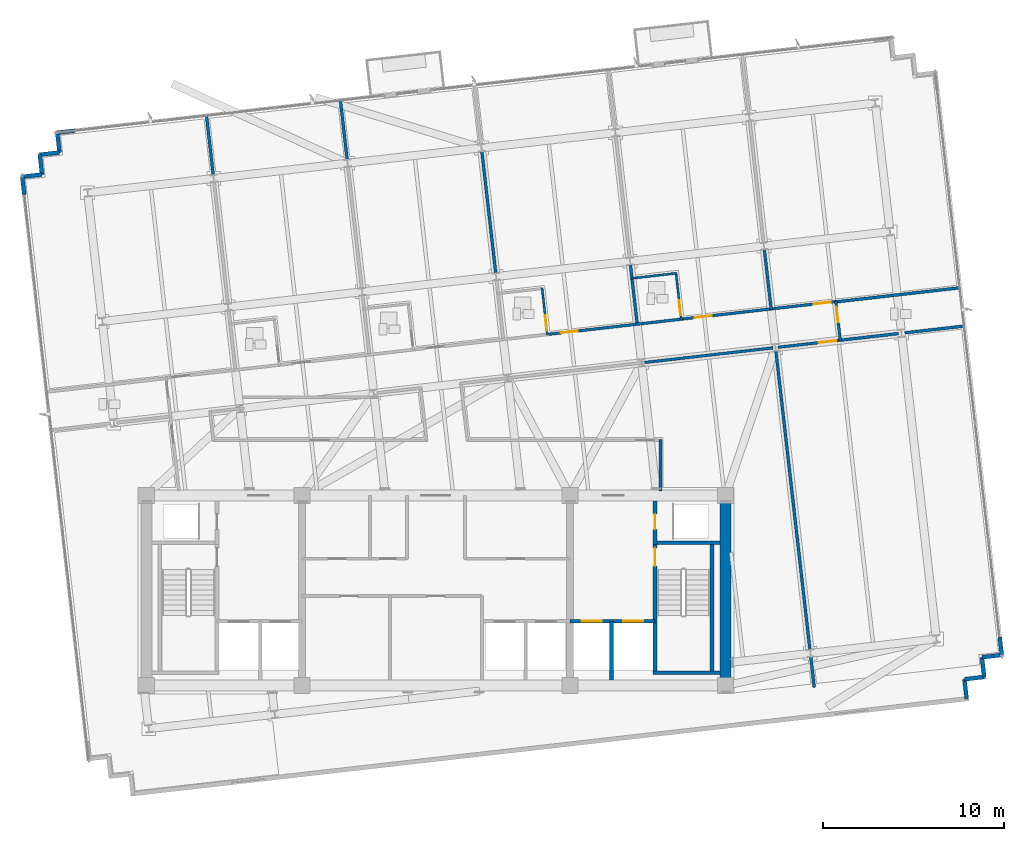
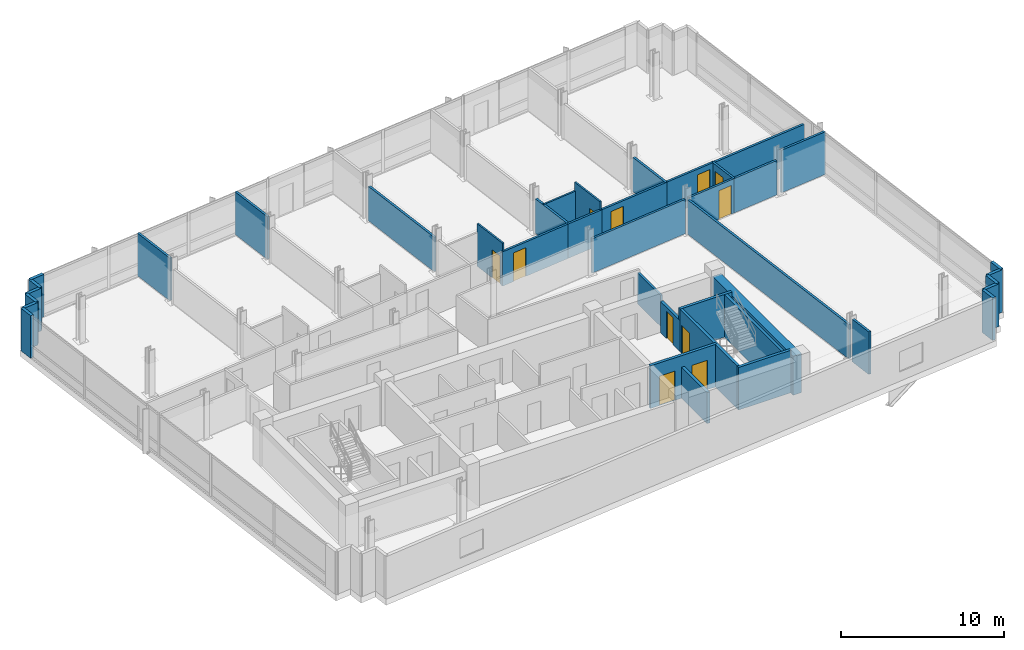
# One storey, part 10 of 15: 40 walls, 11 doors, 11 openings.
"""IFC4 building model written with IfcOpenShell, lengths in metres."""

from ifc_helpers import new_model, si_unit, direction, frame, frame_2d, origin, place, context, subcontext, project, spatial, rectangle, extrude, material, layer, layer_set, type_object, element, fill, save


model = new_model("IFC4")

# Units and contexts
model_context = context("Model", 3, precision=1e-05, world=origin(), true_north=direction((0.0, 1.0)))
body_context = subcontext(model_context, "Body", "Model", "MODEL_VIEW")
ifc_project = project(units=[si_unit("LENGTHUNIT", "METRE"), si_unit("AREAUNIT", "SQUARE_METRE"), si_unit("VOLUMEUNIT", "CUBIC_METRE"), si_unit("PLANEANGLEUNIT", "RADIAN"), si_unit("MASSUNIT", "GRAM", prefix="KILO")], contexts=[model_context])

# Site, building, storey
site_placement = place(None, origin())
site = spatial("IfcSite", under=ifc_project, at=site_placement, CompositionType="ELEMENT")
building_placement = place(site_placement, origin())
building = spatial("IfcBuilding", under=site, at=building_placement, Name="Solmavex Isthmus Hotel", CompositionType="ELEMENT")
storey_placement = place(building_placement, frame((0.0, 0.0, 191.699951171875)))
storey = spatial("IfcBuildingStorey", under=building, at=storey_placement, Name="L51", CompositionType="ELEMENT", Elevation=191.699951171875)

# Walls
ifc_material_1 = material(Name="Precast Concrete C40/50", Category="concrete")
ifc_layer_1 = layer(ifc_material_1, 0.25)
ifc_layer_set_1 = layer_set([ifc_layer_1], Name="Precast Concrete C40/50")
wall_type_1 = type_object("IfcWallType", Name="EW-TWR-250", PredefinedType="STANDARD", material=ifc_layer_set_1)
wall_1_placement = place(storey_placement, frame((-22.74755859375, 14.128173828125, 0.0), z_axis=(0.0, 0.0, 1.0), x_axis=(-0.113191877531, 0.993573147212, 0.0)))
element("IfcWall", 1, at=wall_1_placement, inside=storey, type_object=wall_type_1, Name="Serrated Corner Facade Panel L51-07", PredefinedType="STANDARD", context=body_context, shape_type="SweptSolid", body=[
    extrude(rectangle(XDim=0.989990234375, YDim=0.219970703125, at=frame_2d((0.4951171875, 0.0))), origin(), (0.0, 0.0, 1.0), 3.18994140625),
])
wall_2_placement = place(storey_placement, frame((-22.859619140625, 15.11181640625, 0.0), z_axis=(0.0, 0.0, 1.0), x_axis=(0.99357409499, 0.113183557839, 0.0)))
element("IfcWall", 2, at=wall_2_placement, inside=storey, type_object=wall_type_1, Name="Serrated Corner Facade Panel L51-08", PredefinedType="STANDARD", context=body_context, shape_type="SweptSolid", body=[
    extrude(rectangle(XDim=1.10009765625, YDim=0.219970703125, at=frame_2d((0.550048828125, 0.0))), origin(), (0.0, 0.0, 1.0), 3.18994140625),
])
wall_3_placement = place(storey_placement, frame((-21.7666015625, 15.236328125, 0.0), z_axis=(0.0, 0.0, 1.0), x_axis=(-0.11320852056, 0.99357125103, 0.0)))
element("IfcWall", 3, at=wall_3_placement, inside=storey, type_object=wall_type_1, Name="Serrated Corner Facade Panel L51-09", PredefinedType="STANDARD", context=body_context, shape_type="SweptSolid", body=[
    extrude(rectangle(XDim=1.099853515625, YDim=0.219970703125, at=frame_2d((0.5498046875, 0.0))), origin(), (0.0, 0.0, 1.0), 3.18994140625),
])
for number, where, z_axis, x_axis, name in (
    (4, (-21.89111328125, 16.3291015625, 0.0), (0.0, 0.0, 1.0), (0.99357409499, 0.113183557839, 0.0), "Serrated Corner Facade Panel L51-10"),
    (5, (-20.798095703125, 16.45361328125, 0.0), (0.0, 0.0, 1.0), (-0.113402635104, 0.993549114212, 0.0), "Serrated Corner Facade Panel L51-11"),
):
    element("IfcWall", number, at=place(storey_placement, frame(where, z_axis=z_axis, x_axis=x_axis)), inside=storey, type_object=wall_type_1, Name=name, PredefinedType="STANDARD", context=body_context, shape_type="SweptSolid", body=[
        extrude(rectangle(XDim=1.10009765625, YDim=0.219970703125, at=frame_2d((0.550048828125, 0.0))), origin(), (0.0, 0.0, 1.0), 3.18994140625),
    ])
for number, where, z_axis, x_axis, name in (
    (6, (-20.9228515625, 17.546630859375, 0.0), (0.0, 0.0, 1.0), (0.993573147212, 0.113191877531, 0.0), "Serrated Corner Facade Panel L51-12"),
    (7, (31.1474609375, -10.328125, 0.0), (0.0, 0.0, 1.0), (0.113191877531, -0.993573147212, 0.0), "Serrated Corner Facade Panel L51-21"),
):
    element("IfcWall", number, at=place(storey_placement, frame(where, z_axis=z_axis, x_axis=x_axis)), inside=storey, type_object=wall_type_1, Name=name, PredefinedType="STANDARD", context=body_context, shape_type="SweptSolid", body=[
        extrude(rectangle(XDim=0.989990234375, YDim=0.219970703125, at=frame_2d((0.4951171875, 0.0))), origin(), (0.0, 0.0, 1.0), 3.18994140625),
    ])
wall_4_placement = place(storey_placement, frame((31.259521484375, -11.311767578125, 0.0), z_axis=(0.0, 0.0, 1.0), x_axis=(-0.99357409499, -0.113183557839, 0.0)))
element("IfcWall", 8, at=wall_4_placement, inside=storey, type_object=wall_type_1, Name="Serrated Corner Facade Panel L51-22", PredefinedType="STANDARD", context=body_context, shape_type="SweptSolid", body=[
    extrude(rectangle(XDim=1.10009765625, YDim=0.219970703125, at=frame_2d((0.550048828125, 0.0))), origin(), (0.0, 0.0, 1.0), 3.18994140625),
])
wall_5_placement = place(storey_placement, frame((30.16650390625, -11.436279296875, 0.0), z_axis=(0.0, 0.0, 1.0), x_axis=(0.113427644885, -0.993546259303, 0.0)))
element("IfcWall", 9, at=wall_5_placement, inside=storey, type_object=wall_type_1, Name="Serrated Corner Facade Panel L51-23", PredefinedType="STANDARD", context=body_context, shape_type="SweptSolid", body=[
    extrude(rectangle(XDim=1.099853515625, YDim=0.219970703125, at=frame_2d((0.5498046875, 0.0))), origin(), (0.0, 0.0, 1.0), 3.18994140625),
])
for number, where, z_axis, x_axis, name in (
    (10, (30.291259765625, -12.529052734375, 0.0), (0.0, 0.0, 1.0), (-0.99357409499, -0.113183557839, 0.0), "Serrated Corner Facade Panel L51-24"),
    (11, (29.1982421875, -12.653564453125, 0.0), (0.0, 0.0, 1.0), (0.113183557839, -0.99357409499, 0.0), "Serrated Corner Facade Panel L51-25"),
):
    element("IfcWall", number, at=place(storey_placement, frame(where, z_axis=z_axis, x_axis=x_axis)), inside=storey, type_object=wall_type_1, Name=name, PredefinedType="STANDARD", context=body_context, shape_type="SweptSolid", body=[
        extrude(rectangle(XDim=1.10009765625, YDim=0.219970703125, at=frame_2d((0.550048828125, 0.0))), origin(), (0.0, 0.0, 1.0), 3.18994140625),
    ])
ifc_material_2 = material(Name="Gypsum plasterboard lining", Category="gypsum")
ifc_layer_2 = layer(ifc_material_2, 0.159912109375)
ifc_layer_set_2 = layer_set([ifc_layer_2], Name="Gypsum plasterboard lining")
wall_type_2 = type_object("IfcWallType", Name="IW-COMP-160", PredefinedType="PARTITIONING", material=ifc_layer_set_2)
wall_6_placement = place(storey_placement, frame((-12.681396484375, 18.515869140625, 0.0), z_axis=(0.0, 0.0, 1.0), x_axis=(0.113171804991, -0.993575433752, 0.0)))
element("IfcWall", 12, at=wall_6_placement, inside=storey, type_object=wall_type_2, Name="Interior Partition Wall W-L51-P027", PredefinedType="PARTITIONING", context=body_context, shape_type="SweptSolid", body=[
    extrude(rectangle(XDim=3.34375, YDim=0.159912109375, at=frame_2d((1.671875, 0.0))), origin(), (0.0, 0.0, 1.0), 3.18994140625),
])
wall_7_placement = place(storey_placement, frame((-5.283447265625, 19.358642578125, 0.0), z_axis=(0.0, 0.0, 1.0), x_axis=(0.113252098743, -0.993566284719, 0.0)))
element("IfcWall", 13, at=wall_7_placement, inside=storey, type_object=wall_type_2, Name="Interior Partition Wall W-L51-P033", PredefinedType="PARTITIONING", context=body_context, shape_type="SweptSolid", body=[
    extrude(rectangle(XDim=3.343505859375, YDim=0.159912109375, at=frame_2d((1.671875, 0.0))), origin(), (0.0, 0.0, 1.0), 3.18994140625),
])
wall_8_placement = place(storey_placement, frame((2.533203125, 16.529052734375, 0.0), z_axis=(0.0, 0.0, 1.0), x_axis=(0.11321341463, -0.993570693382, 0.0)))
element("IfcWall", 14, at=wall_8_placement, inside=storey, type_object=wall_type_2, Name="Interior Partition Wall W-L51-P039", PredefinedType="PARTITIONING", context=body_context, shape_type="SweptSolid", body=[
    extrude(rectangle(XDim=6.79931640625, YDim=0.159912109375, at=frame_2d((3.399658203125, 0.0))), origin(), (0.0, 0.0, 1.0), 2.572265625),
])
wall_9_placement = place(storey_placement, frame((10.740966796875, 10.265869140625, 0.0), z_axis=(0.0, 0.0, 1.0), x_axis=(0.113220917918, -0.993569838384, 0.0)))
element("IfcWall", 15, at=wall_9_placement, inside=storey, type_object=wall_type_2, Name="Interior Partition Wall W-L51-P045", PredefinedType="PARTITIONING", context=body_context, shape_type="SweptSolid", body=[
    extrude(rectangle(XDim=3.36181640625, YDim=0.159912109375, at=frame_2d((1.680908203125, 0.0))), origin(), (0.0, 0.0, 1.0), 2.572265625),
])
wall_10_placement = place(storey_placement, frame((18.13916015625, 11.108642578125, 0.0), z_axis=(0.0, 0.0, 1.0), x_axis=(0.113229088195, -0.993568907317, 0.0)))
element("IfcWall", 16, at=wall_10_placement, inside=storey, type_object=wall_type_2, Name="Interior Partition Wall W-L51-P050", PredefinedType="PARTITIONING", context=body_context, shape_type="SweptSolid", body=[
    extrude(rectangle(XDim=3.361572265625, YDim=0.159912109375, at=frame_2d((1.6806640625, 0.0))), origin(), (0.0, 0.0, 1.0), 2.572265625),
])
wall_11_placement = place(storey_placement, frame((28.977783203125, 8.98046875, 0.0), z_axis=(0.0, 0.0, 1.0), x_axis=(-0.993571800428, -0.113203698681, 0.0)))
element("IfcWall", 17, at=wall_11_placement, inside=storey, type_object=wall_type_2, Name="Interior Partition Wall W-L51-P051", PredefinedType="PARTITIONING", context=body_context, shape_type="SweptSolid", body=[
    extrude(rectangle(XDim=6.968017578125, YDim=0.159912109375, at=frame_2d((3.48388671875, 0.0))), origin(), (0.0, 0.0, 1.0), 2.5576171875),
])
wall_12_placement = place(storey_placement, frame((25.546142578125, 6.44580078125, 0.0), z_axis=(0.0, 0.0, 1.0), x_axis=(-0.993568592225, -0.113231853041, 0.0)))
element("IfcWall", 18, at=wall_12_placement, inside=storey, type_object=wall_type_2, Name="Interior Partition Wall W-L51-P054", PredefinedType="PARTITIONING", context=body_context, shape_type="SweptSolid", body=[
    extrude(rectangle(XDim=3.281494140625, YDim=0.159912109375, at=frame_2d((1.640625, 0.0))), origin(), (0.0, 0.0, 1.0), 2.572265625),
])
wall_13_placement = place(storey_placement, frame((29.21875, 6.864013671875, 0.0), z_axis=(0.0, 0.0, 1.0), x_axis=(-0.993574498496, -0.113180015629, 0.0)))
element("IfcWall", 19, at=wall_13_placement, inside=storey, type_object=wall_type_2, Name="Interior Partition Wall W-L51-P055", PredefinedType="PARTITIONING", context=body_context, shape_type="SweptSolid", body=[
    extrude(rectangle(XDim=3.343505859375, YDim=0.159912109375, at=frame_2d((1.671875, 0.0))), origin(), (0.0, 0.0, 1.0), 3.18994140625),
])
wall_14_placement = place(storey_placement, frame((18.778564453125, 5.4970703125, 0.0), z_axis=(0.0, 0.0, 1.0), x_axis=(0.113202873157, -0.993571894484, 0.0)))
element("IfcWall", 20, at=wall_14_placement, inside=storey, type_object=wall_type_2, Name="Interior Partition Wall W-L51-P056", PredefinedType="PARTITIONING", context=body_context, shape_type="SweptSolid", body=[
    extrude(rectangle(XDim=16.647216796875, YDim=0.159912109375, at=frame_2d((8.32373046875, 0.0))), origin(), (0.0, 0.0, 1.0), 2.572265625),
])
wall_15_placement = place(storey_placement, frame((20.702880859375, -11.3935546875, 0.0), z_axis=(0.0, 0.0, 1.0), x_axis=(0.113261307971, -0.993565234958, 0.0)))
element("IfcWall", 21, at=wall_15_placement, inside=storey, type_object=wall_type_2, Name="Interior Partition Wall W-L51-P057", PredefinedType="PARTITIONING", context=body_context, shape_type="SweptSolid", body=[
    extrude(rectangle(XDim=1.713623046875, YDim=0.159912109375, at=frame_2d((0.85693359375, 0.0))), origin(), (0.0, 0.0, 1.0), 3.18994140625),
])

# Wall, opening, door
ifc_layer_3 = layer(ifc_material_2, 0.14990234375)
ifc_layer_set_3 = layer_set([ifc_layer_3], Name="Gypsum plasterboard lining")
wall_type_3 = type_object("IfcWallType", Name="IW-CORR-150", PredefinedType="PARTITIONING", material=ifc_layer_set_3)
wall_16_placement = place(storey_placement, frame((6.07177734375, 6.390625, 0.0), z_axis=(0.0, 0.0, 1.0), x_axis=(0.993569374626, 0.113224987546, 0.0)))
wall_16 = element("IfcWall", 22, at=wall_16_placement, inside=storey, type_object=wall_type_3, Name="Interior Partition Wall W-L51-P006", PredefinedType="PARTITIONING", context=body_context, shape_type="SweptSolid", body=[
    extrude(rectangle(XDim=5.159912109375, YDim=0.14990234375, at=frame_2d((2.580078125, 0.0))), origin(), (0.0, 0.0, 1.0), 2.572265625),
])
opening_1_placement = place(wall_16_placement, frame((0.82470703125, 0.0, 0.0)))
opening_1 = element("IfcOpeningElement", 23, at=opening_1_placement, cuts=wall_16, Name="Opening ID-C095", PredefinedType="OPENING", context=body_context, shape_type="SweptSolid", body=[
    extrude(rectangle(XDim=0.949951171875, YDim=2.14990234375, at=frame_2d((0.47509765625, 1.074951171875))), frame((0.0, 0.0849609375, 0.0), z_axis=(0.0, -1.0, 0.0), x_axis=(1.0, 0.0, 0.0)), (0.0, 0.0, 1.0), 0.169921875),
])
ifc_material_3 = material(Name="Hardwood timber", Category="wood")
door_type_1 = type_object("IfcDoorType", Name="IDR-FD60-0950", OperationType="NOTDEFINED", PredefinedType="DOOR", material=ifc_material_3)
door_1_placement = place(opening_1_placement, origin())
door_1 = element("IfcDoor", 24, at=door_1_placement, inside=storey, type_object=door_type_1, Name="Premier Suite Door L51-06", OperationType="SINGLE_SWING_RIGHT", OverallHeight=2.14990234375, OverallWidth=0.949951171875, PredefinedType="DOOR", context=body_context, shape_type="SweptSolid", body=[
    extrude(rectangle(XDim=0.949951171875, YDim=2.14990234375, at=frame_2d((0.47509765625, 1.074951171875))), frame((0.0, 0.02490234375, 0.0), z_axis=(0.0, -1.0, 0.0), x_axis=(1.0, 0.0, 0.0)), (0.0, 0.0, 1.0), 0.050048828125),
])
fill(opening_1, door_1)

wall_17_placement = place(storey_placement, frame((13.4697265625, 7.233642578125, 0.0), z_axis=(0.0, 0.0, 1.0), x_axis=(0.993569981158, 0.113219664996, 0.0)))
wall_17 = element("IfcWall", 25, at=wall_17_placement, inside=storey, type_object=wall_type_3, Name="Interior Partition Wall W-L51-P008", PredefinedType="PARTITIONING", context=body_context, shape_type="SweptSolid", body=[
    extrude(rectangle(XDim=5.16015625, YDim=0.14990234375, at=frame_2d((2.580078125, 0.0))), origin(), (0.0, 0.0, 1.0), 2.572265625),
])
opening_2_placement = place(wall_17_placement, frame((0.82470703125, 0.0, 0.0)))
opening_2 = element("IfcOpeningElement", 26, at=opening_2_placement, cuts=wall_17, Name="Opening ID-C095", PredefinedType="OPENING", context=body_context, shape_type="SweptSolid", body=[
    extrude(rectangle(XDim=0.949951171875, YDim=2.14990234375, at=frame_2d((0.47509765625, 1.074951171875))), frame((0.0, 0.0849609375, 0.0), z_axis=(0.0, -1.0, 0.0), x_axis=(1.0, 0.0, 0.0)), (0.0, 0.0, 1.0), 0.169921875),
])
door_2_placement = place(opening_2_placement, origin())
door_2 = element("IfcDoor", 27, at=door_2_placement, inside=storey, type_object=door_type_1, Name="Ambassador Suite Door L51-08", OperationType="SINGLE_SWING_RIGHT", OverallHeight=2.14990234375, OverallWidth=0.949951171875, PredefinedType="DOOR", context=body_context, shape_type="SweptSolid", body=[
    extrude(rectangle(XDim=0.949951171875, YDim=2.14990234375, at=frame_2d((0.47509765625, 1.074951171875))), frame((0.0, 0.02490234375, 0.0), z_axis=(0.0, -1.0, 0.0), x_axis=(1.0, 0.0, 0.0)), (0.0, 0.0, 1.0), 0.050048828125),
])
fill(opening_2, door_2)

# Wall
wall_18_placement = place(storey_placement, frame((11.03564453125, 6.956298828125, 0.0), z_axis=(0.0, 0.0, 1.0), x_axis=(0.993572349416, 0.113198880193, 0.0)))
element("IfcWall", 28, at=wall_18_placement, inside=storey, type_object=wall_type_3, Name="Interior Partition Wall W-L51-P009", PredefinedType="PARTITIONING", context=body_context, shape_type="SweptSolid", body=[
    extrude(rectangle(XDim=2.614013671875, YDim=0.14990234375, at=frame_2d((1.30712890625, 0.0))), origin(), (0.0, 0.0, 1.0), 2.572265625),
])

# Wall, opening, door
wall_19_placement = place(storey_placement, frame((18.43359375, 7.79931640625, 0.0), z_axis=(0.0, 0.0, 1.0), x_axis=(0.993578468541, 0.11314515832, 0.0)))
wall_19 = element("IfcWall", 29, at=wall_19_placement, inside=storey, type_object=wall_type_3, Name="Interior Partition Wall W-L51-P010", PredefinedType="PARTITIONING", context=body_context, shape_type="SweptSolid", body=[
    extrude(rectangle(XDim=3.72216796875, YDim=0.14990234375, at=frame_2d((1.861083984375, 0.0))), origin(), (0.0, 0.0, 1.0), 2.572265625),
])
opening_3_placement = place(wall_19_placement, frame((2.456787109375, 0.0, 0.0)))
opening_3 = element("IfcOpeningElement", 30, at=opening_3_placement, cuts=wall_19, Name="Opening ID-C095", PredefinedType="OPENING", context=body_context, shape_type="SweptSolid", body=[
    extrude(rectangle(XDim=0.949951171875, YDim=2.14990234375, at=frame_2d((0.47509765625, 1.074951171875))), frame((0.0, 0.0849609375, 0.0), z_axis=(0.0, -1.0, 0.0), x_axis=(1.0, 0.0, 0.0)), (0.0, 0.0, 1.0), 0.169921875),
])
door_3_placement = place(opening_3_placement, origin())
door_3 = element("IfcDoor", 31, at=door_3_placement, inside=storey, type_object=door_type_1, Name="Executive Hospitality Lounge Door L51-10", OperationType="SINGLE_SWING_RIGHT", OverallHeight=2.14990234375, OverallWidth=0.949951171875, PredefinedType="DOOR", context=body_context, shape_type="SweptSolid", body=[
    extrude(rectangle(XDim=0.949951171875, YDim=2.14990234375, at=frame_2d((0.47509765625, 1.074951171875))), frame((0.0, 0.02490234375, 0.0), z_axis=(0.0, -1.0, 0.0), x_axis=(1.0, 0.0, 0.0)), (0.0, 0.0, 1.0), 0.050048828125),
])
fill(opening_3, door_3)

wall_20_placement = place(storey_placement, frame((22.08984375, 8.23583984375, 0.0), z_axis=(0.0, 0.0, 1.0), x_axis=(0.113122854389, -0.993581008179, 0.0)))
wall_20 = element("IfcWall", 32, at=wall_20_placement, inside=storey, type_object=wall_type_3, Name="Interior Partition Wall W-L51-P012", PredefinedType="PARTITIONING", context=body_context, shape_type="SweptSolid", body=[
    extrude(rectangle(XDim=2.2099609375, YDim=0.14990234375, at=frame_2d((1.10498046875, 0.0))), origin(), (0.0, 0.0, 1.0), 2.572265625),
])
opening_4_placement = place(wall_20_placement, frame((0.322265625, 0.0, 0.0)))
opening_4 = element("IfcOpeningElement", 33, at=opening_4_placement, cuts=wall_20, Name="Opening ID-R085", PredefinedType="OPENING", context=body_context, shape_type="SweptSolid", body=[
    extrude(rectangle(XDim=0.85009765625, YDim=2.050048828125, at=frame_2d((0.425048828125, 1.02490234375))), frame((0.0, 0.0849609375, 0.0), z_axis=(0.0, -1.0, 0.0), x_axis=(1.0, 0.0, 0.0)), (0.0, 0.0, 1.0), 0.169921875),
])
ifc_material_4 = material(Name="Steel ASTM A500 Grade C", Category="steel")
door_type_2 = type_object("IfcDoorType", Name="IDR-FD60-0850", OperationType="NOTDEFINED", PredefinedType="DOOR", material=ifc_material_4)
door_4_placement = place(opening_4_placement, frame((0.85009765625, 0.0, 0.0), z_axis=(0.0, 0.0, 1.0), x_axis=(-1.0, 0.0, 0.0)))
door_4 = element("IfcDoor", 34, at=door_4_placement, inside=storey, type_object=door_type_2, Name="Public Restroom WC Door L51-12", OperationType="SINGLE_SWING_RIGHT", OverallHeight=2.050048828125, OverallWidth=0.85009765625, PredefinedType="DOOR", context=body_context, shape_type="SweptSolid", body=[
    extrude(rectangle(XDim=0.85009765625, YDim=2.050048828125, at=frame_2d((0.425048828125, 1.02490234375))), frame((0.0, 0.02490234375, 0.0), z_axis=(0.0, -1.0, 0.0), x_axis=(1.0, 0.0, 0.0)), (0.0, 0.0, 1.0), 0.050048828125),
])
fill(opening_4, door_4)

# Walls
wall_21_placement = place(storey_placement, frame((12.39990234375, 0.590087890625, 0.0), z_axis=(0.0, 0.0, 1.0), x_axis=(0.0, -1.0, 0.0)))
element("IfcWall", 35, at=wall_21_placement, inside=storey, type_object=wall_type_3, Name="Interior Partition Wall W-L51-P023", PredefinedType="PARTITIONING", context=body_context, shape_type="SweptSolid", body=[
    extrude(rectangle(XDim=2.830078125, YDim=0.14990234375, at=frame_2d((1.4150390625, 0.0))), origin(), (0.0, 0.0, 1.0), 2.324951171875),
])
wall_22_placement = place(storey_placement, frame((18.625, 5.6572265625, 0.0), z_axis=(0.0, 0.0, 1.0), x_axis=(-0.993569785772, -0.11322137961, 0.0)))
element("IfcWall", 36, at=wall_22_placement, inside=storey, type_object=wall_type_3, Name="Interior Partition Wall W-L51-P025", PredefinedType="PARTITIONING", context=body_context, shape_type="SweptSolid", body=[
    extrude(rectangle(XDim=7.13525390625, YDim=0.14990234375, at=frame_2d((3.567626953125, 0.0))), origin(), (0.0, 0.0, 1.0), 2.572265625),
])

# Wall, opening, door
wall_23_placement = place(storey_placement, frame((22.375244140625, 6.08447265625, 0.0), z_axis=(0.0, 0.0, 1.0), x_axis=(-0.993568982909, -0.113228424882, 0.0)))
wall_23 = element("IfcWall", 37, at=wall_23_placement, inside=storey, type_object=wall_type_3, Name="Interior Partition Wall W-L51-P026", PredefinedType="PARTITIONING", context=body_context, shape_type="SweptSolid", body=[
    extrude(rectangle(XDim=3.505859375, YDim=0.14990234375, at=frame_2d((1.7529296875, 0.0))), origin(), (0.0, 0.0, 1.0), 2.572265625),
])
opening_5_placement = place(wall_23_placement, frame((0.270751953125, 0.0, 0.0)))
opening_5 = element("IfcOpeningElement", 38, at=opening_5_placement, cuts=wall_23, Name="Opening ID-C095", PredefinedType="OPENING", context=body_context, shape_type="SweptSolid", body=[
    extrude(rectangle(XDim=0.949951171875, YDim=2.14990234375, at=frame_2d((0.47509765625, 1.074951171875))), frame((0.0, 0.0849609375, 0.0), z_axis=(0.0, -1.0, 0.0), x_axis=(1.0, 0.0, 0.0)), (0.0, 0.0, 1.0), 0.169921875),
])
door_5_placement = place(opening_5_placement, origin())
door_5 = element("IfcDoor", 39, at=door_5_placement, inside=storey, type_object=door_type_1, Name="Corporate Briefing Office Door L51-16", OperationType="SINGLE_SWING_RIGHT", OverallHeight=2.14990234375, OverallWidth=0.949951171875, PredefinedType="DOOR", context=body_context, shape_type="SweptSolid", body=[
    extrude(rectangle(XDim=0.949951171875, YDim=2.14990234375, at=frame_2d((0.47509765625, 1.074951171875))), frame((0.0, 0.02490234375, 0.0), z_axis=(0.0, -1.0, 0.0), x_axis=(1.0, 0.0, 0.0)), (0.0, 0.0, 1.0), 0.050048828125),
])
fill(opening_5, door_5)

ifc_layer_4 = layer(ifc_material_2, 0.1201171875)
ifc_layer_set_4 = layer_set([ifc_layer_4], Name="Gypsum plasterboard lining")
wall_type_4 = type_object("IfcWallType", Name="IW-PART-120", PredefinedType="PARTITIONING", material=ifc_layer_set_4)
wall_24_placement = place(storey_placement, frame((6.15771484375, 6.3603515625, 0.0), z_axis=(0.0, 0.0, 1.0), x_axis=(-0.113253358145, 0.993566141165, 0.0)))
wall_24 = element("IfcWall", 40, at=wall_24_placement, inside=storey, type_object=wall_type_4, Name="Interior Partition Wall W-L51-P041", PredefinedType="PARTITIONING", context=body_context, shape_type="SweptSolid", body=[
    extrude(rectangle(XDim=2.6298828125, YDim=0.1201171875, at=frame_2d((1.31494140625, 0.0))), origin(), (0.0, 0.0, 1.0), 3.18994140625),
])
opening_6_placement = place(wall_24_placement, frame((0.247314453125, 0.0, 0.0)))
opening_6 = element("IfcOpeningElement", 41, at=opening_6_placement, cuts=wall_24, Name="Opening ID-U085", PredefinedType="OPENING", context=body_context, shape_type="SweptSolid", body=[
    extrude(rectangle(XDim=0.85009765625, YDim=2.10009765625, at=frame_2d((0.425048828125, 1.050048828125))), frame((0.0, 0.070068359375, 0.0), z_axis=(0.0, -1.0, 0.0), x_axis=(1.0, 0.0, 0.0)), (0.0, 0.0, 1.0), 0.14013671875),
])
door_type_3 = type_object("IfcDoorType", Name="IDR-UNR-0850", OperationType="NOTDEFINED", PredefinedType="DOOR", material=ifc_material_3)
door_6_placement = place(opening_6_placement, frame((0.85009765625, 0.0, 0.0), z_axis=(0.0, 0.0, 1.0), x_axis=(-1.0, 0.0, 0.0)))
door_6 = element("IfcDoor", 42, at=door_6_placement, inside=storey, type_object=door_type_3, Name="En-suite Bathroom Door L51-07", OperationType="SINGLE_SWING_LEFT", OverallHeight=2.10009765625, OverallWidth=0.85009765625, PredefinedType="DOOR", context=body_context, shape_type="SweptSolid", body=[
    extrude(rectangle(XDim=0.85009765625, YDim=2.10009765625, at=frame_2d((0.425048828125, 1.050048828125))), frame((0.0, 0.02490234375, 0.0), z_axis=(0.0, -1.0, 0.0), x_axis=(1.0, 0.0, 0.0)), (0.0, 0.0, 1.0), 0.050048828125),
])
fill(opening_6, door_6)

wall_25_placement = place(storey_placement, frame((13.555908203125, 7.203125, 0.0), z_axis=(0.0, 0.0, 1.0), x_axis=(-0.113242913364, 0.993567331676, 0.0)))
wall_25 = element("IfcWall", 43, at=wall_25_placement, inside=storey, type_object=wall_type_4, Name="Interior Partition Wall W-L51-P046", PredefinedType="PARTITIONING", context=body_context, shape_type="SweptSolid", body=[
    extrude(rectangle(XDim=2.630126953125, YDim=0.1201171875, at=frame_2d((1.31494140625, 0.0))), origin(), (0.0, 0.0, 1.0), 3.18994140625),
])
opening_7_placement = place(wall_25_placement, frame((0.247314453125, 0.0, 0.0)))
opening_7 = element("IfcOpeningElement", 44, at=opening_7_placement, cuts=wall_25, Name="Opening ID-U085", PredefinedType="OPENING", context=body_context, shape_type="SweptSolid", body=[
    extrude(rectangle(XDim=0.85009765625, YDim=2.10009765625, at=frame_2d((0.425048828125, 1.050048828125))), frame((0.0, 0.070068359375, 0.0), z_axis=(0.0, -1.0, 0.0), x_axis=(1.0, 0.0, 0.0)), (0.0, 0.0, 1.0), 0.14013671875),
])
door_7_placement = place(opening_7_placement, frame((0.85009765625, 0.0, 0.0), z_axis=(0.0, 0.0, 1.0), x_axis=(-1.0, 0.0, 0.0)))
door_7 = element("IfcDoor", 45, at=door_7_placement, inside=storey, type_object=door_type_3, Name="En-suite Bathroom Door L51-09", OperationType="SINGLE_SWING_LEFT", OverallHeight=2.10009765625, OverallWidth=0.85009765625, PredefinedType="DOOR", context=body_context, shape_type="SweptSolid", body=[
    extrude(rectangle(XDim=0.85009765625, YDim=2.10009765625, at=frame_2d((0.425048828125, 1.050048828125))), frame((0.0, 0.02490234375, 0.0), z_axis=(0.0, -1.0, 0.0), x_axis=(1.0, 0.0, 0.0)), (0.0, 0.0, 1.0), 0.050048828125),
])
fill(opening_7, door_7)

# Wall
wall_26_placement = place(storey_placement, frame((13.30224609375, 9.781005859375, 0.0), z_axis=(0.0, 0.0, 1.0), x_axis=(-0.99357273507, -0.113195495167, 0.0)))
element("IfcWall", 46, at=wall_26_placement, inside=storey, type_object=wall_type_4, Name="Interior Partition Wall W-L51-P047", PredefinedType="PARTITIONING", context=body_context, shape_type="SweptSolid", body=[
    extrude(rectangle(XDim=2.530029296875, YDim=0.1201171875, at=frame_2d((1.26513671875, 0.0))), origin(), (0.0, 0.0, 1.0), 2.572265625),
])

# Wall, opening, door
ifc_material_5 = material(Name="Concrete C40/50", Category="concrete")
ifc_layer_5 = layer(ifc_material_5, 0.199951171875)
ifc_layer_set_5 = layer_set([ifc_layer_5], Name="Concrete C40/50")
wall_type_5 = type_object("IfcWallType", Name="IW-SHAFT-200", PredefinedType="PARTITIONING", material=ifc_layer_set_5)
wall_27_placement = place(storey_placement, frame((12.10009765625, -5.199951171875, 0.0), z_axis=(0.0, 0.0, 1.0), x_axis=(0.0, 1.0, 0.0)))
wall_27 = element("IfcWall", 47, at=wall_27_placement, inside=storey, type_object=wall_type_5, Name="Interior Partition Wall W-L51-RSE-W", PredefinedType="PARTITIONING", context=body_context, shape_type="SweptSolid", body=[
    extrude(rectangle(XDim=2.39990234375, YDim=0.199951171875, at=frame_2d((1.199951171875, 0.0))), origin(), (0.0, 0.0, 1.0), 2.324951171875),
])
opening_8_placement = place(wall_27_placement, frame((0.824951171875, 0.0, 0.0)))
opening_8 = element("IfcOpeningElement", 48, at=opening_8_placement, cuts=wall_27, Name="Opening ID-R085", PredefinedType="OPENING", context=body_context, shape_type="SweptSolid", body=[
    extrude(rectangle(XDim=0.85009765625, YDim=2.050048828125, at=frame_2d((0.425048828125, 1.02490234375))), frame((0.0, 0.10986328125, 0.0), z_axis=(0.0, -1.0, 0.0), x_axis=(1.0, 0.0, 0.0)), (0.0, 0.0, 1.0), 0.219970703125),
])
door_8_placement = place(opening_8_placement, frame((0.85009765625, 0.0, 0.0), z_axis=(0.0, 0.0, 1.0), x_axis=(-1.0, 0.0, 0.0)))
door_8 = element("IfcDoor", 49, at=door_8_placement, inside=storey, type_object=door_type_2, Name="Mechanical Riser Door L51", OperationType="SINGLE_SWING_LEFT", OverallHeight=2.050048828125, OverallWidth=0.85009765625, PredefinedType="DOOR", context=body_context, shape_type="SweptSolid", body=[
    extrude(rectangle(XDim=0.85009765625, YDim=2.050048828125, at=frame_2d((0.425048828125, 1.02490234375))), frame((0.0, 0.02490234375, 0.0), z_axis=(0.0, -1.0, 0.0), x_axis=(1.0, 0.0, 0.0)), (0.0, 0.0, 1.0), 0.050048828125),
])
fill(opening_8, door_8)

# Wall, openings, doors
wall_28_placement = place(storey_placement, frame((7.39990234375, -9.449951171875, 0.0), z_axis=(0.0, 0.0, 1.0), x_axis=(1.0, 0.0, 0.0)))
wall_28 = element("IfcWall", 50, at=wall_28_placement, inside=storey, type_object=wall_type_5, Name="Interior Partition Wall W-L51-FFLE-S", PredefinedType="PARTITIONING", context=body_context, shape_type="SweptSolid", body=[
    extrude(rectangle(XDim=4.7001953125, YDim=0.199951171875, at=frame_2d((2.35009765625, 0.0))), origin(), (0.0, 0.0, 1.0), 3.18994140625),
])
opening_9_placement = place(wall_28_placement, frame((2.949951171875, 0.0, 0.0)))
opening_9 = element("IfcOpeningElement", 51, at=opening_9_placement, cuts=wall_28, Name="Opening LD-FF", PredefinedType="OPENING", context=body_context, shape_type="SweptSolid", body=[
    extrude(rectangle(XDim=1.10009765625, YDim=2.199951171875, at=frame_2d((0.550048828125, 1.10009765625))), frame((0.0, 0.10986328125, 0.0), z_axis=(0.0, -1.0, 0.0), x_axis=(1.0, 0.0, 0.0)), (0.0, 0.0, 1.0), 0.219970703125),
])
opening_10_placement = place(wall_28_placement, frame((0.64990234375, 0.0, 0.0)))
opening_10 = element("IfcOpeningElement", 52, at=opening_10_placement, cuts=wall_28, Name="Opening LD-SV", PredefinedType="OPENING", context=body_context, shape_type="SweptSolid", body=[
    extrude(rectangle(XDim=1.10009765625, YDim=2.199951171875, at=frame_2d((0.550048828125, 1.10009765625))), frame((0.0, 0.10986328125, 0.0), z_axis=(0.0, -1.0, 0.0), x_axis=(1.0, 0.0, 0.0)), (0.0, 0.0, 1.0), 0.219970703125),
])
ifc_material_6 = material(Name="Stainless steel 316", Category="steel")
door_type_4 = type_object("IfcDoorType", Name="LDR-FF-1100", OperationType="NOTDEFINED", PredefinedType="DOOR", material=ifc_material_6)
door_9_placement = place(opening_9_placement, origin())
door_9 = element("IfcDoor", 53, at=door_9_placement, inside=storey, type_object=door_type_4, Name="Lift Landing Door FFL-2 L51", OperationType="SLIDING_TO_LEFT", OverallHeight=2.199951171875, OverallWidth=1.10009765625, PredefinedType="DOOR", context=body_context, shape_type="SweptSolid", body=[
    extrude(rectangle(XDim=1.10009765625, YDim=2.199951171875, at=frame_2d((0.550048828125, 1.10009765625))), frame((0.0, 0.02490234375, 0.0), z_axis=(0.0, -1.0, 0.0), x_axis=(1.0, 0.0, 0.0)), (0.0, 0.0, 1.0), 0.050048828125),
])
fill(opening_9, door_9)
door_type_5 = type_object("IfcDoorType", Name="LDR-SV-1100", OperationType="NOTDEFINED", PredefinedType="DOOR", material=ifc_material_6)
door_10_placement = place(opening_10_placement, origin())
door_10 = element("IfcDoor", 54, at=door_10_placement, inside=storey, type_object=door_type_5, Name="Lift Landing Door SVL-2 L51", OperationType="SLIDING_TO_RIGHT", OverallHeight=2.199951171875, OverallWidth=1.10009765625, PredefinedType="DOOR", context=body_context, shape_type="SweptSolid", body=[
    extrude(rectangle(XDim=1.10009765625, YDim=2.199951171875, at=frame_2d((0.550048828125, 1.10009765625))), frame((0.0, 0.02490234375, 0.0), z_axis=(0.0, -1.0, 0.0), x_axis=(1.0, 0.0, 0.0)), (0.0, 0.0, 1.0), 0.050048828125),
])
fill(opening_10, door_10)

# Walls
wall_29_placement = place(storey_placement, frame((9.699951171875, -12.699951171875, 0.0), z_axis=(0.0, 0.0, 1.0), x_axis=(0.0, 1.0, 0.0)))
element("IfcWall", 55, at=wall_29_placement, inside=storey, type_object=wall_type_5, Name="Interior Partition Wall W-L51-FFLE-M", PredefinedType="PARTITIONING", context=body_context, shape_type="SweptSolid", body=[
    extrude(rectangle(XDim=3.25, YDim=0.199951171875, at=frame_2d((1.625, 0.0))), origin(), (0.0, 0.0, 1.0), 2.324951171875),
])
ifc_material_7 = material(Name="Concrete C50/60", Category="concrete")
ifc_layer_6 = layer(ifc_material_7, 0.60009765625)
ifc_layer_set_6 = layer_set([ifc_layer_6], Name="Concrete C50/60")
wall_type_6 = type_object("IfcWallType", Name="WALL-CW-600", PredefinedType="SHEAR", material=ifc_layer_set_6)
wall_30_placement = place(storey_placement, frame((16.0, -12.699951171875, 0.0), z_axis=(0.0, 0.0, 1.0), x_axis=(0.0, 1.0, 0.0)))
element("IfcWall", 56, at=wall_30_placement, inside=storey, type_object=wall_type_6, Name="Core Shear Wall East L51", PredefinedType="SHEAR", context=body_context, shape_type="SweptSolid", body=[
    extrude(rectangle(XDim=9.89990234375, YDim=0.60009765625, at=frame_2d((4.949951171875, 0.0))), origin(), (0.0, 0.0, 1.0), 2.91015625),
])
ifc_layer_7 = layer(ifc_material_5, 0.199951171875)
ifc_layer_set_7 = layer_set([ifc_layer_7], Name="Concrete C40/50")
wall_type_7 = type_object("IfcWallType", Name="WALL-SW-200", PredefinedType="SOLIDWALL", material=ifc_layer_set_7)
for number, where, z_axis, x_axis, name in (
    (57, (12.0, -12.300048828125, 0.0), (0.0, 0.0, 1.0), (1.0, 0.0, 0.0), "Stairwell Structural Wall SW-L51-ST2-S"),
    (58, (12.0, -5.10009765625, 0.0), (0.0, 0.0, 1.0), (1.0, 0.0, 0.0), "Stairwell Structural Wall SW-L51-ST2-N"),
):
    element("IfcWall", number, at=place(storey_placement, frame(where, z_axis=z_axis, x_axis=x_axis)), inside=storey, type_object=wall_type_7, Name=name, PredefinedType="SOLIDWALL", context=body_context, shape_type="SweptSolid", body=[
        extrude(rectangle(XDim=3.699951171875, YDim=0.199951171875, at=frame_2d((1.85009765625, 0.0))), origin(), (0.0, 0.0, 1.0), 3.18994140625),
    ])

# Wall, opening, door
wall_31_placement = place(storey_placement, frame((12.10009765625, -12.199951171875, 0.0), z_axis=(0.0, 0.0, 1.0), x_axis=(0.0, 1.0, 0.0)))
wall_31 = element("IfcWall", 59, at=wall_31_placement, inside=storey, type_object=wall_type_7, Name="Stairwell Structural Wall SW-L51-ST2-W", PredefinedType="SOLIDWALL", context=body_context, shape_type="SweptSolid", body=[
    extrude(rectangle(XDim=7.0, YDim=0.199951171875, at=frame_2d((3.5, 0.0))), origin(), (0.0, 0.0, 1.0), 3.18994140625),
])
opening_11_placement = place(wall_31_placement, frame((5.800048828125, 0.0, 0.0)))
opening_11 = element("IfcOpeningElement", 60, at=opening_11_placement, cuts=wall_31, Name="Opening ID-F100", PredefinedType="OPENING", context=body_context, shape_type="SweptSolid", body=[
    extrude(rectangle(XDim=1.0, YDim=2.10009765625, at=frame_2d((0.5, 1.050048828125))), frame((0.0, 0.10986328125, 0.0), z_axis=(0.0, -1.0, 0.0), x_axis=(1.0, 0.0, 0.0)), (0.0, 0.0, 1.0), 0.219970703125),
])
door_type_6 = type_object("IfcDoorType", Name="IDR-FD90-1000", OperationType="NOTDEFINED", PredefinedType="DOOR", material=ifc_material_4)
door_11_placement = place(opening_11_placement, origin())
door_11 = element("IfcDoor", 61, at=door_11_placement, inside=storey, type_object=door_type_6, Name="Stair ST-2 Fire Door L51", OperationType="SINGLE_SWING_RIGHT", OverallHeight=2.10009765625, OverallWidth=1.0, PredefinedType="DOOR", context=body_context, shape_type="SweptSolid", body=[
    extrude(rectangle(XDim=1.0, YDim=2.10009765625, at=frame_2d((0.5, 1.050048828125))), frame((0.0, 0.02490234375, 0.0), z_axis=(0.0, -1.0, 0.0), x_axis=(1.0, 0.0, 0.0)), (0.0, 0.0, 1.0), 0.050048828125),
])
fill(opening_11, door_11)

# Wall
wall_32_placement = place(storey_placement, frame((15.25, -12.199951171875, 0.0), z_axis=(0.0, 0.0, 1.0), x_axis=(0.0, 1.0, 0.0)))
element("IfcWall", 62, at=wall_32_placement, inside=storey, type_object=wall_type_7, Name="Stairwell Structural Wall SW-L51-ST2-E", PredefinedType="SOLIDWALL", context=body_context, shape_type="SweptSolid", body=[
    extrude(rectangle(XDim=7.0, YDim=0.199951171875, at=frame_2d((3.5, 0.0))), origin(), (0.0, 0.0, 1.0), 3.18994140625),
])

save(model, "model.ifc")
